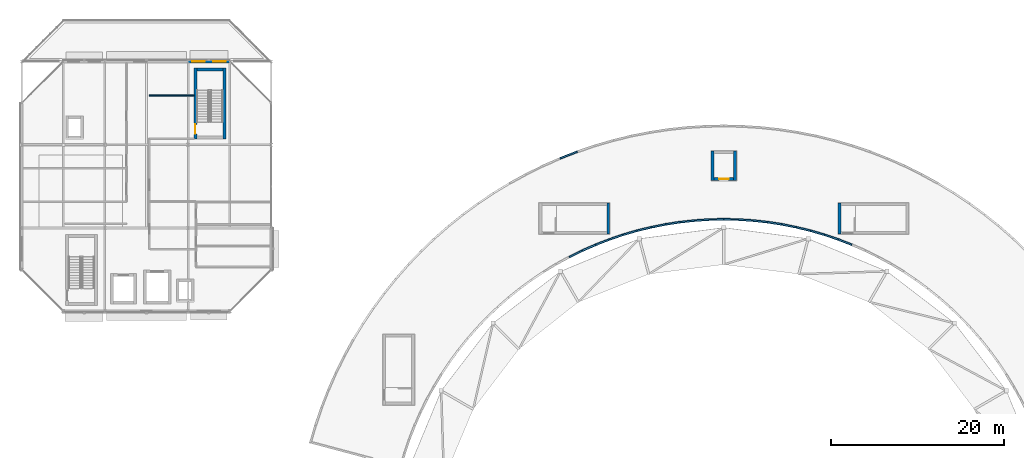
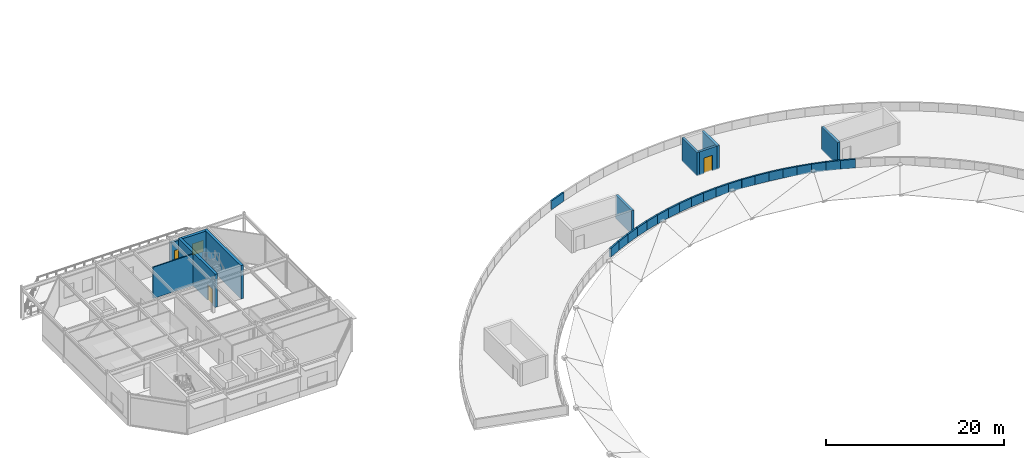
# One storey, part 34 of 50: 31 walls, 2 doors, 2 windows, 4 openings.
"""IFC4 building model written with IfcOpenShell, lengths in metres."""

from ifc_helpers import new_model, si_unit, direction, frame, frame_2d, origin, place, context, subcontext, project, spatial, rectangle, extrude, material, layer, layer_set, type_object, element, fill, save


model = new_model("IFC4")

# Units and contexts
model_context = context("Model", 3, precision=1e-05, world=origin(), true_north=direction((0.0, 1.0)))
body_context = subcontext(model_context, "Body", "Model", "MODEL_VIEW")
ifc_project = project(units=[si_unit("LENGTHUNIT", "METRE"), si_unit("AREAUNIT", "SQUARE_METRE"), si_unit("VOLUMEUNIT", "CUBIC_METRE"), si_unit("PLANEANGLEUNIT", "RADIAN"), si_unit("MASSUNIT", "GRAM", prefix="KILO")], contexts=[model_context])

# Site, building, storey
site_placement = place(None, origin())
site = spatial("IfcSite", under=ifc_project, at=site_placement, CompositionType="ELEMENT")
building_placement = place(site_placement, origin())
building = spatial("IfcBuilding", under=site, at=building_placement, Name="Almandine Court Research Institute", CompositionType="ELEMENT")
storey_placement = place(building_placement, frame((0.0, 0.0, 23.449951171875)))
storey = spatial("IfcBuildingStorey", under=building, at=storey_placement, Name="L05", CompositionType="ELEMENT", Elevation=23.449951171875)

# Wall, openings, windows
ifc_material_1 = material(Name="Insulated Ochre Terracotta Rainscreen Wall", Category="masonry")
ifc_layer_1 = layer(ifc_material_1, 0.2900390625)
ifc_layer_set_1 = layer_set([ifc_layer_1], Name="Insulated Ochre Terracotta Rainscreen Wall")
wall_type_1 = type_object("IfcWallType", Name="Wall-EXT-TERR-290", PredefinedType="SOLIDWALL", material=ifc_layer_set_1)
wall_1_placement = place(storey_placement, frame((25.2041015625, 112.800048828125, 0.0), z_axis=(0.0, 0.0, 1.0), x_axis=(1.0, 0.0, 0.0)))
wall_1 = element("IfcWall", 1, at=wall_1_placement, inside=storey, type_object=wall_type_1, Name="L05 Cleanroom North Wall 3", PredefinedType="SOLIDWALL", context=body_context, shape_type="SweptSolid", body=[
    extrude(rectangle(XDim=4.7919921875, YDim=0.2900390625, at=frame_2d((2.39599609375, 0.0))), origin(), (0.0, 0.0, 1.0), 3.75),
])
opening_1_placement = place(wall_1_placement, frame((0.472900390625, 0.0, 0.949951171875)))
opening_1 = element("IfcOpeningElement", 2, at=opening_1_placement, cuts=wall_1, Name="Opening WN-31", PredefinedType="OPENING", context=body_context, shape_type="SweptSolid", body=[
    extrude(rectangle(XDim=1.449951171875, YDim=1.590087890625, at=frame_2d((0.72509765625, 0.794921875))), frame((0.0, 0.155029296875, 0.0), z_axis=(0.0, -1.0, 0.0), x_axis=(1.0, 0.0, 0.0)), (0.0, 0.0, 1.0), 0.31005859375),
])
opening_2_placement = place(wall_1_placement, frame((2.868896484375, 0.0, 0.949951171875)))
opening_2 = element("IfcOpeningElement", 3, at=opening_2_placement, cuts=wall_1, Name="Opening WN-31", PredefinedType="OPENING", context=body_context, shape_type="SweptSolid", body=[
    extrude(rectangle(XDim=1.449951171875, YDim=1.590087890625, at=frame_2d((0.72509765625, 0.794921875))), frame((0.0, 0.155029296875, 0.0), z_axis=(0.0, -1.0, 0.0), x_axis=(1.0, 0.0, 0.0)), (0.0, 0.0, 1.0), 0.31005859375),
])
ifc_material_2 = material(Name="Thermally Broken Low-E Double-Glazed Window", Category="glass")
window_type = type_object("IfcWindowType", Name="Win-WN-31-1450x1590", PartitioningType="SINGLE_PANEL", PredefinedType="WINDOW", material=ifc_material_2)
window_1_placement = place(opening_1_placement, origin())
window_1 = element("IfcWindow", 4, at=window_1_placement, inside=storey, type_object=window_type, Name="L05 Modular Recessed Low-E Window 63", OverallHeight=1.590087890625, OverallWidth=1.449951171875, PartitioningType="SINGLE_PANEL", PredefinedType="WINDOW", context=body_context, shape_type="SweptSolid", body=[
    extrude(rectangle(XDim=1.449951171875, YDim=1.590087890625, at=frame_2d((0.72509765625, 0.794921875))), frame((0.0, 0.030029296875, 0.0), z_axis=(0.0, -1.0, 0.0), x_axis=(1.0, 0.0, 0.0)), (0.0, 0.0, 1.0), 0.06005859375),
])
fill(opening_1, window_1)
window_2_placement = place(opening_2_placement, origin())
window_2 = element("IfcWindow", 5, at=window_2_placement, inside=storey, type_object=window_type, Name="L05 Modular Recessed Low-E Window 64", OverallHeight=1.590087890625, OverallWidth=1.449951171875, PartitioningType="SINGLE_PANEL", PredefinedType="WINDOW", context=body_context, shape_type="SweptSolid", body=[
    extrude(rectangle(XDim=1.449951171875, YDim=1.590087890625, at=frame_2d((0.72509765625, 0.794921875))), frame((0.0, 0.030029296875, 0.0), z_axis=(0.0, -1.0, 0.0), x_axis=(1.0, 0.0, 0.0)), (0.0, 0.0, 1.0), 0.06005859375),
])
fill(opening_2, window_2)

# Walls
ifc_material_3 = material(Name="Precast Concrete C40/50", Category="concrete")
ifc_layer_2 = layer(ifc_material_3, 0.2099609375)
ifc_layer_set_2 = layer_set([ifc_layer_2], Name="Precast Concrete C40/50")
wall_type_2 = type_object("IfcWallType", Name="Wall-PAR-210", PredefinedType="PARAPET", material=ifc_layer_set_2)
wall_2_placement = place(storey_placement, frame((70.110107421875, 102.412109375, 0.0), z_axis=(0.0, 0.0, 1.0), x_axis=(-0.931958001651, -0.36256624658, 0.0)))
element("IfcWall", 6, at=wall_2_placement, inside=storey, type_object=wall_type_2, Name="L05 Roof Perimeter Parapet 057", PredefinedType="PARAPET", context=body_context, shape_type="SweptSolid", body=[
    extrude(rectangle(XDim=2.16015625, YDim=0.2099609375, at=frame_2d((1.080078125, 0.0))), origin(), (0.0, 0.0, 1.0), 1.199951171875),
])
wall_3_placement = place(storey_placement, frame((69.174072265625, 90.2490234375, 0.0), z_axis=(0.0, 0.0, 1.0), x_axis=(0.896798962064, 0.442438268735, 0.0)))
element("IfcWall", 7, at=wall_3_placement, inside=storey, type_object=wall_type_2, Name="L05 Roof Perimeter Parapet 099", PredefinedType="PARAPET", context=body_context, shape_type="SweptSolid", body=[
    extrude(rectangle(XDim=1.67919921875, YDim=0.2099609375, at=frame_2d((0.839599609375, 0.0))), origin(), (0.0, 0.0, 1.0), 1.199951171875),
])
wall_4_placement = place(storey_placement, frame((70.68505859375, 90.993896484375, 0.0), z_axis=(0.0, 0.0, 1.0), x_axis=(0.915452129995, 0.402426884896, 0.0)))
element("IfcWall", 8, at=wall_4_placement, inside=storey, type_object=wall_type_2, Name="L05 Roof Perimeter Parapet 100", PredefinedType="PARAPET", context=body_context, shape_type="SweptSolid", body=[
    extrude(rectangle(XDim=1.679931640625, YDim=0.2099609375, at=frame_2d((0.83984375, 0.0))), origin(), (0.0, 0.0, 1.0), 1.199951171875),
])
wall_5_placement = place(storey_placement, frame((72.22705078125, 91.672119140625, 0.0), z_axis=(0.0, 0.0, 1.0), x_axis=(0.931944632128, 0.362600610379, 0.0)))
element("IfcWall", 9, at=wall_5_placement, inside=storey, type_object=wall_type_2, Name="L05 Roof Perimeter Parapet 101", PredefinedType="PARAPET", context=body_context, shape_type="SweptSolid", body=[
    extrude(rectangle(XDim=1.67919921875, YDim=0.2099609375, at=frame_2d((0.839599609375, 0.0))), origin(), (0.0, 0.0, 1.0), 1.199951171875),
])
wall_6_placement = place(storey_placement, frame((73.797119140625, 92.281982421875, 0.0), z_axis=(0.0, 0.0, 1.0), x_axis=(0.946924996106, 0.321454587383, 0.0)))
element("IfcWall", 10, at=wall_6_placement, inside=storey, type_object=wall_type_2, Name="L05 Roof Perimeter Parapet 102", PredefinedType="PARAPET", context=body_context, shape_type="SweptSolid", body=[
    extrude(rectangle(XDim=1.679931640625, YDim=0.2099609375, at=frame_2d((0.83984375, 0.0))), origin(), (0.0, 0.0, 1.0), 1.199951171875),
])
wall_7_placement = place(storey_placement, frame((75.39208984375, 92.823974609375, 0.0), z_axis=(0.0, 0.0, 1.0), x_axis=(0.960022797722, 0.27992182454, 0.0)))
element("IfcWall", 11, at=wall_7_placement, inside=storey, type_object=wall_type_2, Name="L05 Roof Perimeter Parapet 103", PredefinedType="PARAPET", context=body_context, shape_type="SweptSolid", body=[
    extrude(rectangle(XDim=1.678955078125, YDim=0.2099609375, at=frame_2d((0.83935546875, 0.0))), origin(), (0.0, 0.0, 1.0), 1.199951171875),
])
for number, where, z_axis, x_axis, name in (
    (12, (77.009033203125, 93.294921875, 0.0), (0.0, 0.0, 1.0), (0.971369206424, 0.237574966717, 0.0), "L05 Roof Perimeter Parapet 104"),
    (13, (78.64599609375, 93.695068359375, 0.0), (0.0, 0.0, 1.0), (0.980775784306, 0.195138056048, 0.0), "L05 Roof Perimeter Parapet 105"),
):
    element("IfcWall", number, at=place(storey_placement, frame(where, z_axis=z_axis, x_axis=x_axis)), inside=storey, type_object=wall_type_2, Name=name, PredefinedType="PARAPET", context=body_context, shape_type="SweptSolid", body=[
        extrude(rectangle(XDim=1.68017578125, YDim=0.2099609375, at=frame_2d((0.840087890625, 0.0))), origin(), (0.0, 0.0, 1.0), 1.199951171875),
    ])
wall_8_placement = place(storey_placement, frame((80.298095703125, 94.02392578125, 0.0), z_axis=(0.0, 0.0, 1.0), x_axis=(0.988306067584, 0.152483168833, 0.0)))
element("IfcWall", 14, at=wall_8_placement, inside=storey, type_object=wall_type_2, Name="L05 Roof Perimeter Parapet 106", PredefinedType="PARAPET", context=body_context, shape_type="SweptSolid", body=[
    extrude(rectangle(XDim=1.679443359375, YDim=0.2099609375, at=frame_2d((0.83984375, 0.0))), origin(), (0.0, 0.0, 1.0), 1.199951171875),
])
wall_9_placement = place(storey_placement, frame((81.962890625, 94.280029296875, 0.0), z_axis=(0.0, 0.0, 1.0), x_axis=(0.994122383298, 0.108262121847, 0.0)))
element("IfcWall", 15, at=wall_9_placement, inside=storey, type_object=wall_type_2, Name="L05 Roof Perimeter Parapet 107", PredefinedType="PARAPET", context=body_context, shape_type="SweptSolid", body=[
    extrude(rectangle(XDim=1.679931640625, YDim=0.2099609375, at=frame_2d((0.83984375, 0.0))), origin(), (0.0, 0.0, 1.0), 1.199951171875),
])
wall_10_placement = place(storey_placement, frame((83.637939453125, 94.462890625, 0.0), z_axis=(0.0, 0.0, 1.0), x_axis=(0.997849006998, 0.06555424649, 0.0)))
element("IfcWall", 16, at=wall_10_placement, inside=storey, type_object=wall_type_2, Name="L05 Roof Perimeter Parapet 108", PredefinedType="PARAPET", context=body_context, shape_type="SweptSolid", body=[
    extrude(rectangle(XDim=1.6796875, YDim=0.2099609375, at=frame_2d((0.83984375, 0.0))), origin(), (0.0, 0.0, 1.0), 1.199951171875),
])
for number, where, z_axis, x_axis, name in (
    (17, (85.319091796875, 94.572998046875, 0.0), (0.0, 0.0, 1.0), (0.999755825648, 0.022097264141, 0.0), "L05 Roof Perimeter Parapet 109"),
    (18, (87.001953125, 94.610107421875, 0.0), (0.0, 0.0, 1.0), (0.999755825648, -0.022097264141, 0.0), "L05 Roof Perimeter Parapet 110"),
):
    element("IfcWall", number, at=place(storey_placement, frame(where, z_axis=z_axis, x_axis=x_axis)), inside=storey, type_object=wall_type_2, Name=name, PredefinedType="PARAPET", context=body_context, shape_type="SweptSolid", body=[
        extrude(rectangle(XDim=1.679443359375, YDim=0.2099609375, at=frame_2d((0.83984375, 0.0))), origin(), (0.0, 0.0, 1.0), 1.199951171875),
    ])
wall_11_placement = place(storey_placement, frame((88.68603515625, 94.572998046875, 0.0), z_axis=(0.0, 0.0, 1.0), x_axis=(0.997849006998, -0.06555424649, 0.0)))
element("IfcWall", 19, at=wall_11_placement, inside=storey, type_object=wall_type_2, Name="L05 Roof Perimeter Parapet 111", PredefinedType="PARAPET", context=body_context, shape_type="SweptSolid", body=[
    extrude(rectangle(XDim=1.6796875, YDim=0.2099609375, at=frame_2d((0.83984375, 0.0))), origin(), (0.0, 0.0, 1.0), 1.199951171875),
])
wall_12_placement = place(storey_placement, frame((90.366943359375, 94.4619140625, 0.0), z_axis=(0.0, 0.0, 1.0), x_axis=(0.994122383298, -0.108262121847, 0.0)))
element("IfcWall", 20, at=wall_12_placement, inside=storey, type_object=wall_type_2, Name="L05 Roof Perimeter Parapet 112", PredefinedType="PARAPET", context=body_context, shape_type="SweptSolid", body=[
    extrude(rectangle(XDim=1.679931640625, YDim=0.2099609375, at=frame_2d((0.83984375, 0.0))), origin(), (0.0, 0.0, 1.0), 1.199951171875),
])
wall_13_placement = place(storey_placement, frame((92.0419921875, 94.280029296875, 0.0), z_axis=(0.0, 0.0, 1.0), x_axis=(0.988306067584, -0.152483168833, 0.0)))
element("IfcWall", 21, at=wall_13_placement, inside=storey, type_object=wall_type_2, Name="L05 Roof Perimeter Parapet 113", PredefinedType="PARAPET", context=body_context, shape_type="SweptSolid", body=[
    extrude(rectangle(XDim=1.679443359375, YDim=0.2099609375, at=frame_2d((0.83984375, 0.0))), origin(), (0.0, 0.0, 1.0), 1.199951171875),
])
for number, where, z_axis, x_axis, name in (
    (22, (93.7060546875, 94.02294921875, 0.0), (0.0, 0.0, 1.0), (0.980775784306, -0.195138056048, 0.0), "L05 Roof Perimeter Parapet 114"),
    (23, (95.35888671875, 93.694091796875, 0.0), (0.0, 0.0, 1.0), (0.971369206424, -0.237574966717, 0.0), "L05 Roof Perimeter Parapet 115"),
):
    element("IfcWall", number, at=place(storey_placement, frame(where, z_axis=z_axis, x_axis=x_axis)), inside=storey, type_object=wall_type_2, Name=name, PredefinedType="PARAPET", context=body_context, shape_type="SweptSolid", body=[
        extrude(rectangle(XDim=1.68017578125, YDim=0.2099609375, at=frame_2d((0.840087890625, 0.0))), origin(), (0.0, 0.0, 1.0), 1.199951171875),
    ])
wall_14_placement = place(storey_placement, frame((96.99609375, 93.2939453125, 0.0), z_axis=(0.0, 0.0, 1.0), x_axis=(0.960022797722, -0.27992182454, 0.0)))
element("IfcWall", 24, at=wall_14_placement, inside=storey, type_object=wall_type_2, Name="L05 Roof Perimeter Parapet 116", PredefinedType="PARAPET", context=body_context, shape_type="SweptSolid", body=[
    extrude(rectangle(XDim=1.678955078125, YDim=0.2099609375, at=frame_2d((0.83935546875, 0.0))), origin(), (0.0, 0.0, 1.0), 1.199951171875),
])
wall_15_placement = place(storey_placement, frame((98.612060546875, 92.822021484375, 0.0), z_axis=(0.0, 0.0, 1.0), x_axis=(0.946924996106, -0.321454587383, 0.0)))
element("IfcWall", 25, at=wall_15_placement, inside=storey, type_object=wall_type_2, Name="L05 Roof Perimeter Parapet 117", PredefinedType="PARAPET", context=body_context, shape_type="SweptSolid", body=[
    extrude(rectangle(XDim=1.679931640625, YDim=0.2099609375, at=frame_2d((0.83984375, 0.0))), origin(), (0.0, 0.0, 1.0), 1.199951171875),
])
wall_16_placement = place(storey_placement, frame((100.2080078125, 92.281005859375, 0.0), z_axis=(0.0, 0.0, 1.0), x_axis=(0.931944632128, -0.362600610379, 0.0)))
element("IfcWall", 26, at=wall_16_placement, inside=storey, type_object=wall_type_2, Name="L05 Roof Perimeter Parapet 118", PredefinedType="PARAPET", context=body_context, shape_type="SweptSolid", body=[
    extrude(rectangle(XDim=1.67919921875, YDim=0.2099609375, at=frame_2d((0.839599609375, 0.0))), origin(), (0.0, 0.0, 1.0), 1.199951171875),
])
ifc_material_4 = material(Name="Acoustic Steel-Stud Gypsum Partition Wall", Category="steel")
ifc_layer_3 = layer(ifc_material_4, 0.14990234375)
ifc_layer_set_3 = layer_set([ifc_layer_3], Name="Acoustic Steel-Stud Gypsum Partition Wall")
wall_type_3 = type_object("IfcWallType", Name="Wall-PART-150", PredefinedType="PARTITIONING", material=ifc_layer_set_3)
wall_17_placement = place(storey_placement, frame((20.719970703125, 108.89990234375, 0.0), z_axis=(0.0, 0.0, 1.0), x_axis=(1.0, 0.0, 0.0)))
element("IfcWall", 27, at=wall_17_placement, inside=storey, type_object=wall_type_3, Name="L05 Interior Partition W-V3-L05-CALN", PredefinedType="PARTITIONING", context=body_context, shape_type="SweptSolid", body=[
    extrude(rectangle(XDim=5.199951171875, YDim=0.14990234375, at=frame_2d((2.60009765625, 0.0))), origin(), (0.0, 0.0, 1.0), 4.300048828125),
])
ifc_material_5 = material(Name="Concrete C40/50", Category="concrete")
ifc_layer_4 = layer(ifc_material_5, 0.300048828125)
ifc_layer_set_4 = layer_set([ifc_layer_4], Name="Concrete C40/50")
wall_type_4 = type_object("IfcWallType", Name="Wall-SW-CORE-300-E", PredefinedType="SHEAR", material=ifc_layer_set_4)
for number, where, z_axis, x_axis, name in (
    (28, (100.35009765625, 92.89990234375, 0.0), (0.0, 0.0, 1.0), (0.0, 1.0, 0.0), "L05 ST-09 Penthouse W Shear Wall"),
    (29, (73.64990234375, 96.5, 0.0), (0.0, 0.0, 1.0), (0.0, -1.0, 0.0), "L05 ST-10 Penthouse E Shear Wall"),
):
    element("IfcWall", number, at=place(storey_placement, frame(where, z_axis=z_axis, x_axis=x_axis)), inside=storey, type_object=wall_type_4, Name=name, PredefinedType="SHEAR", context=body_context, shape_type="SweptSolid", body=[
        extrude(rectangle(XDim=3.60009765625, YDim=0.300048828125, at=frame_2d((1.800048828125, 0.0))), origin(), (0.0, 0.0, 1.0), 3.199951171875),
    ])
for number, where, z_axis, x_axis, name in (
    (30, (85.699951171875, 99.10009765625, 0.0), (0.0, 0.0, 1.0), (0.0, 1.0, 0.0), "L05 PL-04 Overrun W Shear Wall"),
    (31, (88.300048828125, 102.5, 0.0), (0.0, 0.0, 1.0), (0.0, -1.0, 0.0), "L05 PL-04 Overrun E Shear Wall"),
):
    element("IfcWall", number, at=place(storey_placement, frame(where, z_axis=z_axis, x_axis=x_axis)), inside=storey, type_object=wall_type_4, Name=name, PredefinedType="SHEAR", context=body_context, shape_type="SweptSolid", body=[
        extrude(rectangle(XDim=3.39990234375, YDim=0.300048828125, at=frame_2d((1.699951171875, 0.0))), origin(), (0.0, 0.0, 1.0), 3.199951171875),
    ])

# Wall, opening, door
wall_18_placement = place(storey_placement, frame((88.14990234375, 99.25, 0.0), z_axis=(0.0, 0.0, 1.0), x_axis=(-1.0, 0.0, 0.0)))
wall_18 = element("IfcWall", 32, at=wall_18_placement, inside=storey, type_object=wall_type_4, Name="L05 PL-04 Overrun S Shear Wall", PredefinedType="SHEAR", context=body_context, shape_type="SweptSolid", body=[
    extrude(rectangle(XDim=2.2998046875, YDim=0.300048828125, at=frame_2d((1.14990234375, 0.0))), origin(), (0.0, 0.0, 1.0), 3.199951171875),
])
opening_3_placement = place(wall_18_placement, frame((0.60009765625, 0.0, 0.0)))
opening_3 = element("IfcOpeningElement", 33, at=opening_3_placement, cuts=wall_18, Name="Opening LD-01E", PredefinedType="OPENING", context=body_context, shape_type="SweptSolid", body=[
    extrude(rectangle(XDim=1.10009765625, YDim=2.14990234375, at=frame_2d((0.550048828125, 1.074951171875))), frame((0.0, 0.159912109375, 0.0), z_axis=(0.0, -1.0, 0.0), x_axis=(1.0, 0.0, 0.0)), (0.0, 0.0, 1.0), 0.320068359375),
])
ifc_material_6 = material(Name="Stainless Steel Lift Landing Sliding Door", Category="steel")
door_type_1 = type_object("IfcDoorType", Name="Door-LD-PASS-1100-EXT", OperationType="SLIDING_TO_LEFT", PredefinedType="USERDEFINED", material=ifc_material_6)
door_1_placement = place(opening_3_placement, origin())
door_1 = element("IfcDoor", 34, at=door_1_placement, inside=storey, type_object=door_type_1, Name="L05 Dry Laboratory Drum Passenger Lift PL-04 Sliding Landing Door", ObjectType="LANDING DOOR", OperationType="SLIDING_TO_LEFT", OverallHeight=2.14990234375, OverallWidth=1.10009765625, PredefinedType="USERDEFINED", context=body_context, shape_type="SweptSolid", body=[
    extrude(rectangle(XDim=1.10009765625, YDim=2.14990234375, at=frame_2d((0.550048828125, 1.074951171875))), frame((0.0, 0.02490234375, 0.0), z_axis=(0.0, -1.0, 0.0), x_axis=(1.0, 0.0, 0.0)), (0.0, 0.0, 1.0), 0.050048828125),
])
fill(opening_3, door_1)

ifc_layer_5 = layer(ifc_material_5, 0.35009765625)
ifc_layer_set_5 = layer_set([ifc_layer_5], Name="Concrete C40/50")
wall_type_5 = type_object("IfcWallType", Name="Wall-SW-CORE-350", PredefinedType="SHEAR", material=ifc_layer_set_5)
wall_19_placement = place(storey_placement, frame((26.02490234375, 103.85009765625, 0.0), z_axis=(0.0, 0.0, 1.0), x_axis=(0.0, 1.0, 0.0)))
wall_19 = element("IfcWall", 35, at=wall_19_placement, inside=storey, type_object=wall_type_5, Name="L05 ST-06 W Shear Wall", PredefinedType="SHEAR", context=body_context, shape_type="SweptSolid", body=[
    extrude(rectangle(XDim=8.199951171875, YDim=0.35009765625, at=frame_2d((4.10009765625, 0.0))), origin(), (0.0, 0.0, 1.0), 4.550048828125),
])
opening_4_placement = place(wall_19_placement, frame((0.60009765625, 0.0, 0.0)))
opening_4 = element("IfcOpeningElement", 36, at=opening_4_placement, cuts=wall_19, Name="Opening FD-STAIR", PredefinedType="OPENING", context=body_context, shape_type="SweptSolid", body=[
    extrude(rectangle(XDim=1.10009765625, YDim=2.14990234375, at=frame_2d((0.550048828125, 1.074951171875))), frame((0.0, 0.18505859375, 0.0), z_axis=(0.0, -1.0, 0.0), x_axis=(1.0, 0.0, 0.0)), (0.0, 0.0, 1.0), 0.3701171875),
])
ifc_material_7 = material(Name="Self-Closing Steel Exit Stair Fire Door", Category="steel")
door_type_2 = type_object("IfcDoorType", Name="Door-FD-STAIR-1100", OperationType="NOTDEFINED", PredefinedType="DOOR", material=ifc_material_7)
door_2_placement = place(opening_4_placement, origin())
door_2 = element("IfcDoor", 37, at=door_2_placement, inside=storey, type_object=door_type_2, Name="L05 Exit Stair ST-06 Fire Door", OperationType="SINGLE_SWING_RIGHT", OverallHeight=2.14990234375, OverallWidth=1.10009765625, PredefinedType="DOOR", context=body_context, shape_type="SweptSolid", body=[
    extrude(rectangle(XDim=1.10009765625, YDim=2.14990234375, at=frame_2d((0.550048828125, 1.074951171875))), frame((0.0, 0.02490234375, 0.0), z_axis=(0.0, -1.0, 0.0), x_axis=(1.0, 0.0, 0.0)), (0.0, 0.0, 1.0), 0.050048828125),
])
fill(opening_4, door_2)

# Walls
wall_20_placement = place(storey_placement, frame((26.199951171875, 111.875, 0.0), z_axis=(0.0, 0.0, 1.0), x_axis=(1.0, 0.0, 0.0)))
element("IfcWall", 38, at=wall_20_placement, inside=storey, type_object=wall_type_5, Name="L05 ST-06 N Shear Wall", PredefinedType="SHEAR", context=body_context, shape_type="SweptSolid", body=[
    extrude(rectangle(XDim=3.0, YDim=0.35009765625, at=frame_2d((1.5, 0.0))), origin(), (0.0, 0.0, 1.0), 4.550048828125),
])
wall_21_placement = place(storey_placement, frame((29.375, 112.050048828125, 0.0), z_axis=(0.0, 0.0, 1.0), x_axis=(0.0, -1.0, 0.0)))
element("IfcWall", 39, at=wall_21_placement, inside=storey, type_object=wall_type_5, Name="L05 ST-06 E Shear Wall", PredefinedType="SHEAR", context=body_context, shape_type="SweptSolid", body=[
    extrude(rectangle(XDim=8.199951171875, YDim=0.35009765625, at=frame_2d((4.10009765625, 0.0))), origin(), (0.0, 0.0, 1.0), 4.550048828125),
])

save(model, "model.ifc")
